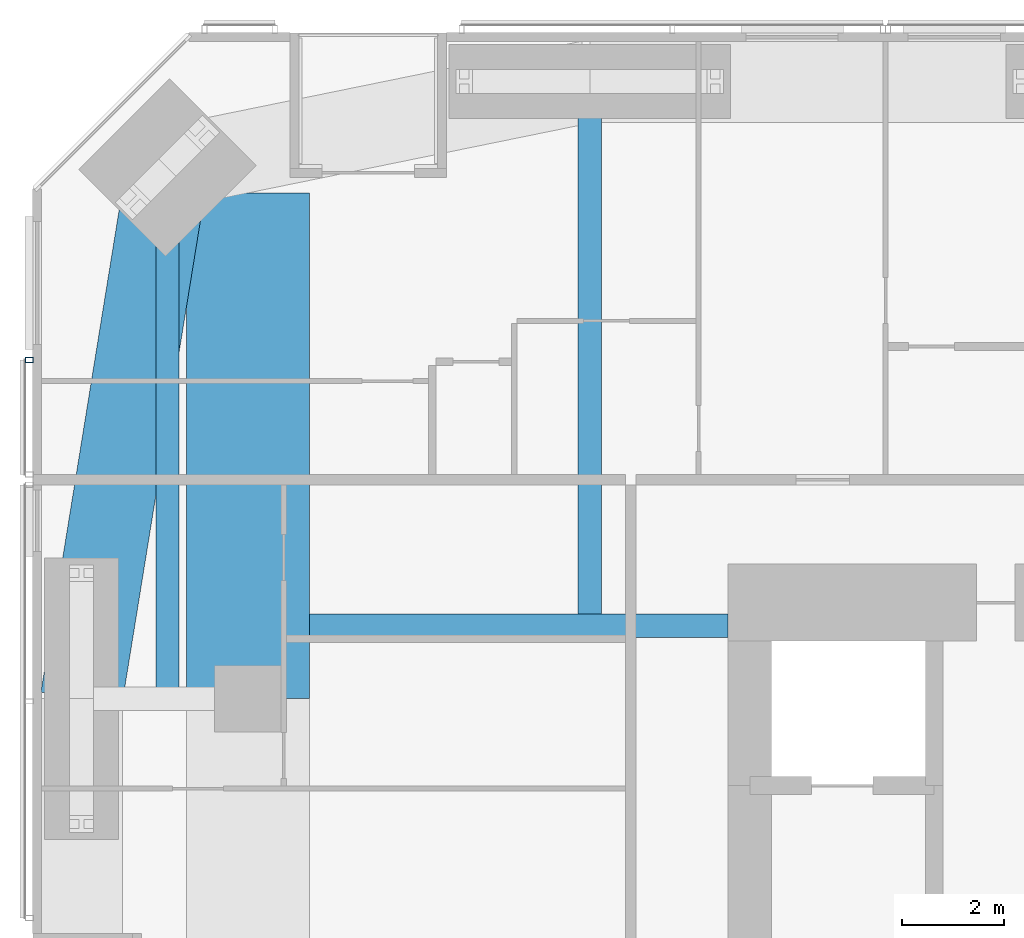
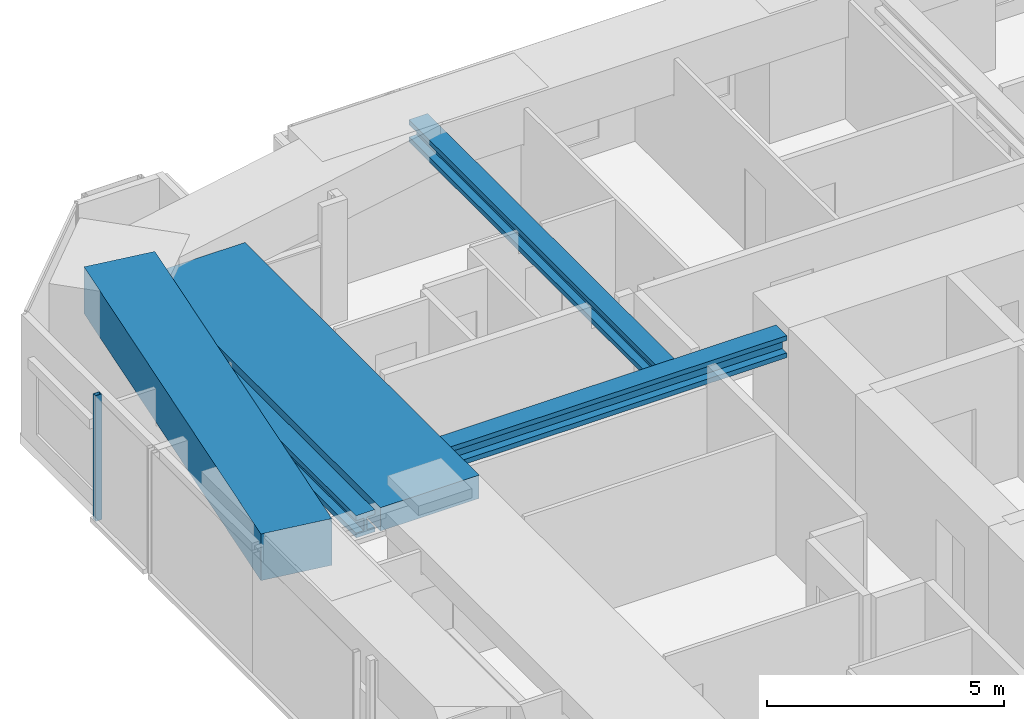
# One storey, part 7 of 23: 5 beams, 1 member, 1 element without a shape of its own.
"""IFC4 building model written with IfcOpenShell, lengths in metres."""

from ifc_helpers import new_model, si_unit, direction, frame, origin, origin_2d, place, context, subcontext, project, spatial, rectangle, hollow_rectangle, i_section, extrude, material, material_profile, profile_set, type_object, element, aggregate, save


model = new_model("IFC4")

# Units and contexts
model_context = context("Model", 3, precision=1e-05, world=origin(), true_north=direction((0.0, 1.0)))
body_context = subcontext(model_context, "Body", "Model", "MODEL_VIEW")
ifc_project = project(units=[si_unit("LENGTHUNIT", "METRE"), si_unit("AREAUNIT", "SQUARE_METRE"), si_unit("VOLUMEUNIT", "CUBIC_METRE"), si_unit("PLANEANGLEUNIT", "RADIAN"), si_unit("MASSUNIT", "GRAM", prefix="KILO")], contexts=[model_context])

# Site, building, storey
site_placement = place(None, origin())
site = spatial("IfcSite", under=ifc_project, at=site_placement, CompositionType="ELEMENT")
building_placement = place(site_placement, origin())
building = spatial("IfcBuilding", under=site, at=building_placement, Name="Jalousie Tower", CompositionType="ELEMENT")
storey_placement = place(building_placement, frame((0.0, 0.0, 118.25)))
storey = spatial("IfcBuildingStorey", under=building, at=storey_placement, Name="L32", CompositionType="ELEMENT", Elevation=118.25)

# Beams
ifc_material_1 = material(Name="Steel ASTM A992 Grade 50", Category="steel")
ifc_material_profile_1 = material_profile(ifc_material_1, i_section(OverallWidth=0.45458984375, OverallDepth=0.569091796875, WebThickness=0.077880859375, FlangeThickness=0.124755859375, at=origin_2d()), Name="W14X730")
ifc_profile_set_1 = profile_set([ifc_material_profile_1], Name="Steel ASTM A992 Grade 50")
beam_type_1 = type_object("IfcBeamType", Name="LEAN COLLECTOR W14X730", PredefinedType="BEAM", material=ifc_profile_set_1)
beam_1_placement = place(storey_placement, frame((11.39990234375, 26.425048828125, 2.825439453125), z_axis=(1.0, 0.0, 0.0), x_axis=(0.0, 1.0, 0.0)))
element("IfcBeam", 1, at=beam_1_placement, inside=storey, type_object=beam_type_1, Name="Lean collector under L33", PredefinedType="BEAM", context=body_context, shape_type="SweptSolid", body=[
    extrude(i_section(OverallWidth=0.45458984375, OverallDepth=0.569091796875, WebThickness=0.077880859375, FlangeThickness=0.124755859375, at=origin_2d()), origin(), (0.0, 0.0, 1.0), 8.175048828125),
])
beam_2_placement = place(storey_placement, frame((8.63134765625, 35.36865234375, 2.825439453125), z_axis=(0.0, -1.0, 0.0), x_axis=(1.0, 0.0, 0.0)))
element("IfcBeam", 2, at=beam_2_placement, inside=storey, type_object=beam_type_1, Name="Lean collector under L33", PredefinedType="BEAM", context=body_context, shape_type="SweptSolid", body=[
    extrude(i_section(OverallWidth=0.45458984375, OverallDepth=0.569091796875, WebThickness=0.077880859375, FlangeThickness=0.124755859375, at=origin_2d()), origin(), (0.0, 0.0, 1.0), 10.36865234375),
])
beam_3_placement = place(storey_placement, frame((16.875, 37.050048828125, 2.825439453125), z_axis=(0.0, -1.0, 0.0), x_axis=(1.0, 0.0, 0.0)))
element("IfcBeam", 3, at=beam_3_placement, inside=storey, type_object=beam_type_1, Name="Lean collector under L33", PredefinedType="BEAM", context=body_context, shape_type="SweptSolid", body=[
    extrude(i_section(OverallWidth=0.45458984375, OverallDepth=0.569091796875, WebThickness=0.077880859375, FlangeThickness=0.124755859375, at=origin_2d()), origin(), (0.0, 0.0, 1.0), 10.625),
])
ifc_material_2 = material(Name="Concrete f'c 40 MPa", Category="concrete")
ifc_material_profile_2 = material_profile(ifc_material_2, rectangle(XDim=1.60009765625, YDim=1.199951171875, at=origin_2d()), Name="RC 1600x1200")
ifc_profile_set_2 = profile_set([ifc_material_profile_2], Name="Concrete f'c 40 MPa")
beam_type_2 = type_object("IfcBeamType", Name="RC BEAM 1600x1200", PredefinedType="BEAM", material=ifc_profile_set_2)
beam_4_placement = place(storey_placement, frame((8.63134765625, 35.36865234375, 2.75), z_axis=(-0.160070546476, -0.987105577003, 0.0), x_axis=(0.987105577003, -0.160070546476, 0.0)))
element("IfcBeam", 4, at=beam_4_placement, inside=storey, type_object=beam_type_2, Name="Edge band beam 12-13 under L33", PredefinedType="BEAM", context=body_context, shape_type="SweptSolid", body=[
    extrude(rectangle(XDim=1.60009765625, YDim=1.199951171875, at=origin_2d()), origin(), (0.0, 0.0, 1.0), 10.504150390625),
])
ifc_material_3 = material(Name="Concrete f'c 40 MPa", Category="concrete")
ifc_material_profile_3 = material_profile(ifc_material_3, rectangle(XDim=2.39990234375, YDim=0.60009765625, at=origin_2d()), Name="RC 2400x600")
ifc_profile_set_3 = profile_set([ifc_material_profile_3], Name="Concrete f'c 40 MPa")
beam_type_3 = type_object("IfcBeamType", Name="RC BEAM 2400x600", PredefinedType="BEAM", material=ifc_profile_set_3)
beam_5_placement = place(storey_placement, frame((10.199951171875, 25.0, 2.81005859375), z_axis=(0.0, 1.0, 0.0), x_axis=(-1.0, 0.0, 0.0)))
element("IfcBeam", 5, at=beam_5_placement, inside=storey, type_object=beam_type_3, Name="Floor band beam under L33", PredefinedType="BEAM", context=body_context, shape_type="SweptSolid", body=[
    extrude(rectangle(XDim=2.39990234375, YDim=0.60009765625, at=origin_2d()), origin(), (0.0, 0.0, 1.0), 9.8720703125),
])

# Curtain wall, member
ifc_material_4 = material(Name="Perforated aluminium sheet", Category="aluminium")
curtain_wall_type = type_object("IfcCurtainWallType", Name="SOLAR SCREEN SS-1", PredefinedType="USERDEFINED", material=ifc_material_4)
curtain_wall_placement = place(storey_placement, origin())
curtain_wall = element("IfcCurtainWall", 6, at=curtain_wall_placement, inside=storey, type_object=curtain_wall_type, Name="Solar screen L32", ObjectType="SOLAR SCREEN SS-1", PredefinedType="USERDEFINED")
ifc_material_5 = material(Name="Steel ASTM A500 Grade C", Category="steel")
ifc_material_profile_4 = material_profile(ifc_material_5, hollow_rectangle(XDim=0.1015625, YDim=0.15234375, WallThickness=0.00634765625, at=origin_2d()), Name="HSS6X4X1/4")
ifc_profile_set_4 = profile_set([ifc_material_profile_4], Name="Steel ASTM A500 Grade C")
member_type = type_object("IfcMemberType", Name="SOLAR SCREEN SS-1 MULLION", PredefinedType="MULLION", material=ifc_profile_set_4)
member_placement = place(storey_placement, frame((5.9287109375, 31.6123046875, -0.1201171875), z_axis=(0.0, 0.0, 1.0), x_axis=(0.0, -1.0, 0.0)))
member = element("IfcMember", 7, at=member_placement, type_object=member_type, Name="SS1 post 1", PredefinedType="MULLION", context=body_context, shape_type="SweptSolid", body=[
    extrude(hollow_rectangle(XDim=0.1015625, YDim=0.15234375, WallThickness=0.00634765625, at=origin_2d()), origin(), (0.0, 0.0, 1.0), 3.230224609375),
])
aggregate(curtain_wall, [member])

save(model, "model.ifc")
